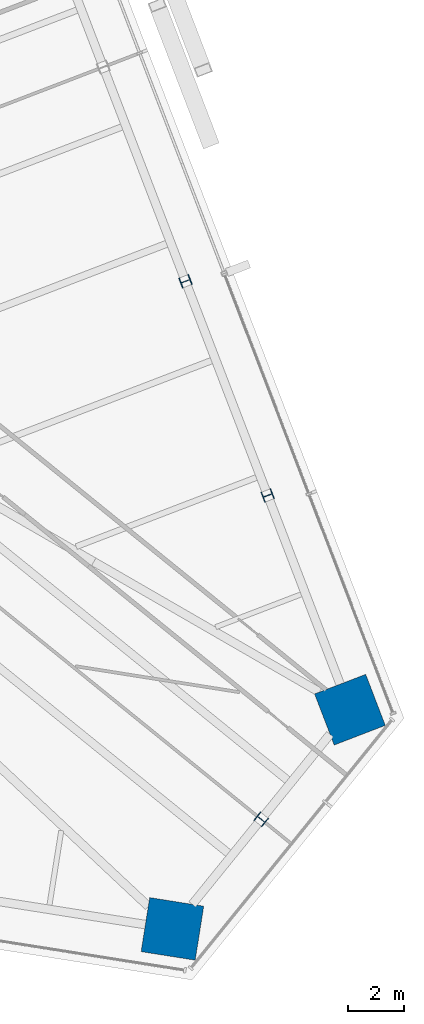
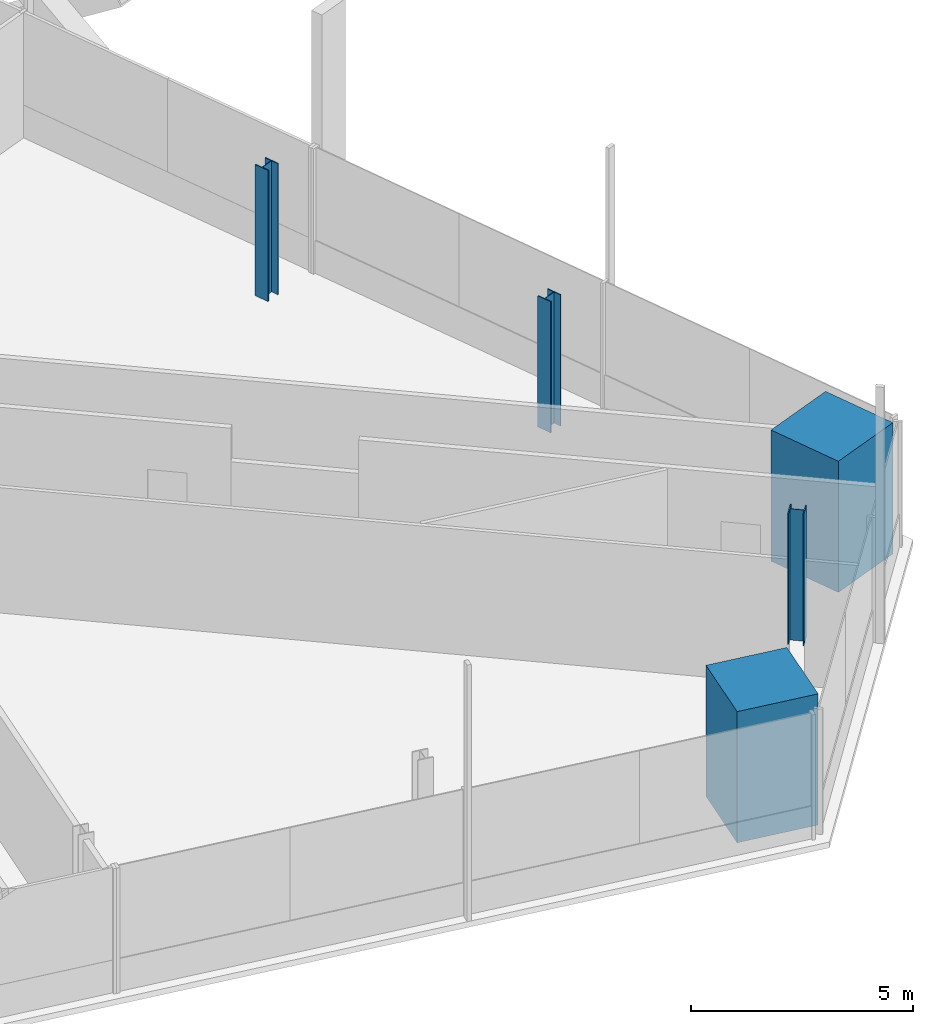
# One storey, part 2 of 22: 5 columns.
"""IFC4 building model written with IfcOpenShell, lengths in metres."""

from ifc_helpers import new_model, si_unit, direction, frame, origin, origin_2d, place, context, subcontext, project, spatial, rectangle, i_section, extrude, source, transform, mapped, material, material_profile, profile_set, type_object, element, save


model = new_model("IFC4")

# Units and contexts
model_context = context("Model", 3, precision=1e-05, world=origin(), true_north=direction((0.0, 1.0)))
body_context = subcontext(model_context, "Body", "Model", "MODEL_VIEW")
ifc_project = project(units=[si_unit("LENGTHUNIT", "METRE"), si_unit("AREAUNIT", "SQUARE_METRE"), si_unit("VOLUMEUNIT", "CUBIC_METRE"), si_unit("PLANEANGLEUNIT", "RADIAN"), si_unit("MASSUNIT", "GRAM", prefix="KILO")], contexts=[model_context])

# Site, building, storey
site_placement = place(None, origin())
site = spatial("IfcSite", under=ifc_project, at=site_placement, CompositionType="ELEMENT")
building_placement = place(site_placement, origin())
building = spatial("IfcBuilding", under=site, at=building_placement, Name="Triune Harvest Tower", CompositionType="ELEMENT")
storey_placement = place(building_placement, frame((0.0, 0.0, 153.300048828125)))
storey = spatial("IfcBuildingStorey", under=building, at=storey_placement, Name="L39", CompositionType="ELEMENT", Elevation=153.300048828125)

# Columns
ifc_material_1 = material(Name="Steel ASTM A992 Gr 50", Category="steel")
ifc_material_profile_1 = material_profile(ifc_material_1, i_section(OverallWidth=0.373291015625, OverallDepth=0.373291015625, WebThickness=0.016357421875, FlangeThickness=0.026123046875, at=origin_2d()), Name="W14x132")
ifc_profile_set_1 = profile_set([ifc_material_profile_1], Name="Steel ASTM A992 Gr 50")
column_type_1 = type_object("IfcColumnType", Name="PC-4 Perimeter column W14x132", PredefinedType="COLUMN", material=ifc_profile_set_1)
shared_shape_1 = source(origin(), body_context, "Body", "SweptSolid", [
    extrude(i_section(OverallWidth=0.373291015625, OverallDepth=0.373291015625, WebThickness=0.016357421875, FlangeThickness=0.026123046875, at=origin_2d()), origin(), (0.0, 0.0, 1.0), 3.60009765625),
])
column_placement = place(storey_placement, frame((24.2626953125, -19.647705078125, 1.199951171875), z_axis=(0.0, 0.0, 1.0), x_axis=(0.629321747424, 0.777144863084, 0.0)))
element("IfcColumn", 1, at=column_placement, inside=storey, type_object=column_type_1, Name="col/L39/P23", PredefinedType="COLUMN", context=body_context, shape_type="MappedRepresentation", body=[
    mapped(shared_shape_1, transform((0.0, 0.0, 0.0), scale=1.0)),
])
ifc_material_2 = material(Name="Concrete 70 MPa", Category="concrete")
ifc_material_profile_2 = material_profile(ifc_material_2, rectangle(XDim=1.949951171875, YDim=1.949951171875, at=origin_2d()), Name="Composite 1950x1950")
ifc_profile_set_2 = profile_set([ifc_material_profile_2], Name="Concrete 70 MPa")
column_type_2 = type_object("IfcColumnType", Name="MC-4 Mega column Composite 1950x1950", PredefinedType="COLUMN", material=ifc_profile_set_2)
shared_shape_2 = source(origin(), body_context, "Body", "SweptSolid", [
    extrude(rectangle(XDim=1.949951171875, YDim=1.949951171875, at=origin_2d()), origin(), (0.0, 0.0, 1.0), 3.599853515625),
])
for number, where, z_axis, x_axis, name in (
    (2, (27.425048828125, -15.742431640625, 0.0), (0.0, 0.0, 1.0), (-0.358367949545, 0.933580426497, 0.0), "col/L39/M0"),
    (3, (21.100341796875, -23.552734375, 0.0), (0.0, 0.0, 1.0), (0.987688340595, -0.15643446504, 0.0), "col/L39/M22"),
):
    element("IfcColumn", number, at=place(storey_placement, frame(where, z_axis=z_axis, x_axis=x_axis)), inside=storey, type_object=column_type_2, Name=name, PredefinedType="COLUMN", context=body_context, shape_type="MappedRepresentation", body=[
        mapped(shared_shape_2, transform((0.0, 0.0, 0.0), scale=1.0)),
    ])
shared_shape_3 = source(origin(), body_context, "Body", "SweptSolid", [
    extrude(i_section(OverallWidth=0.373291015625, OverallDepth=0.373291015625, WebThickness=0.016357421875, FlangeThickness=0.026123046875, at=origin_2d()), origin(), (0.0, 0.0, 1.0), 3.599853515625),
])
for number, where, z_axis, x_axis, name in (
    (4, (24.495361328125, -8.1103515625, 0.0), (0.0, 0.0, 1.0), (-0.358367949545, 0.933580426497, 0.0), "col/L39/P1"),
    (5, (21.565673828125, -0.478271484375, 0.0), (0.0, 0.0, 1.0), (-0.358367949545, 0.933580426497, 0.0), "col/L39/P2"),
):
    element("IfcColumn", number, at=place(storey_placement, frame(where, z_axis=z_axis, x_axis=x_axis)), inside=storey, type_object=column_type_1, Name=name, PredefinedType="COLUMN", context=body_context, shape_type="MappedRepresentation", body=[
        mapped(shared_shape_3, transform((0.0, 0.0, 0.0), scale=1.0)),
    ])

save(model, "model.ifc")
